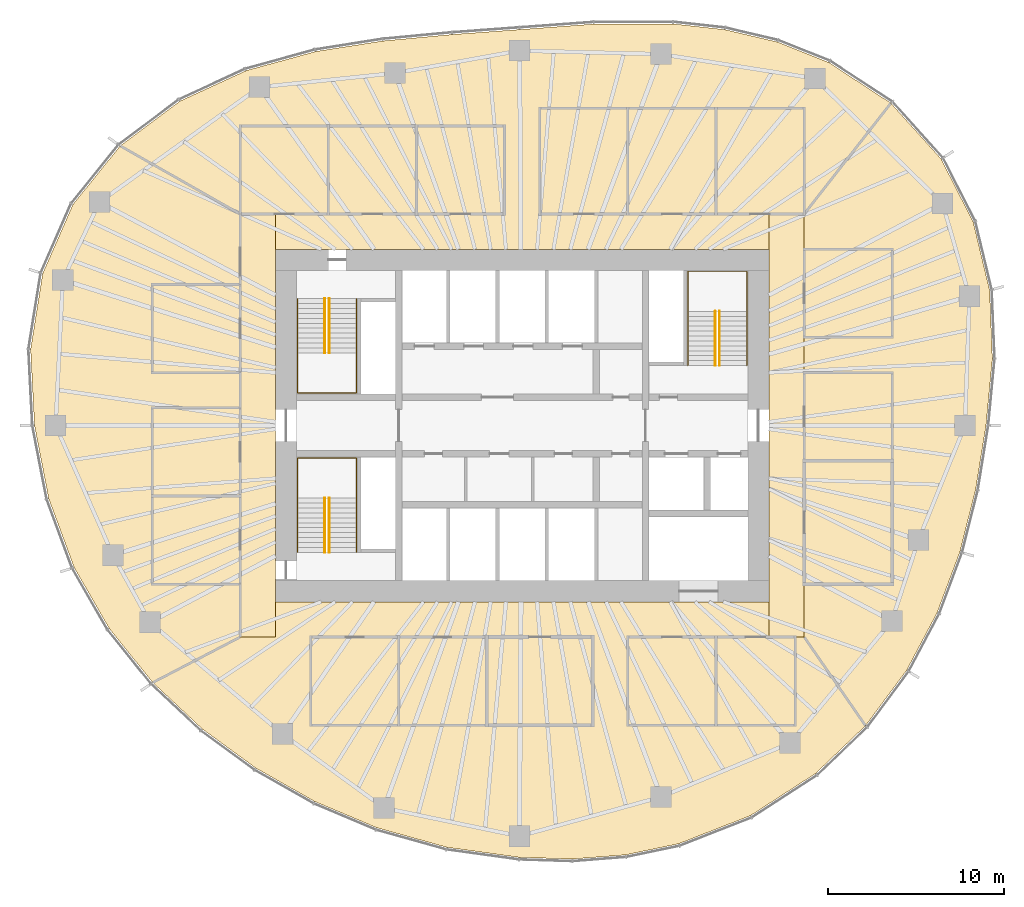
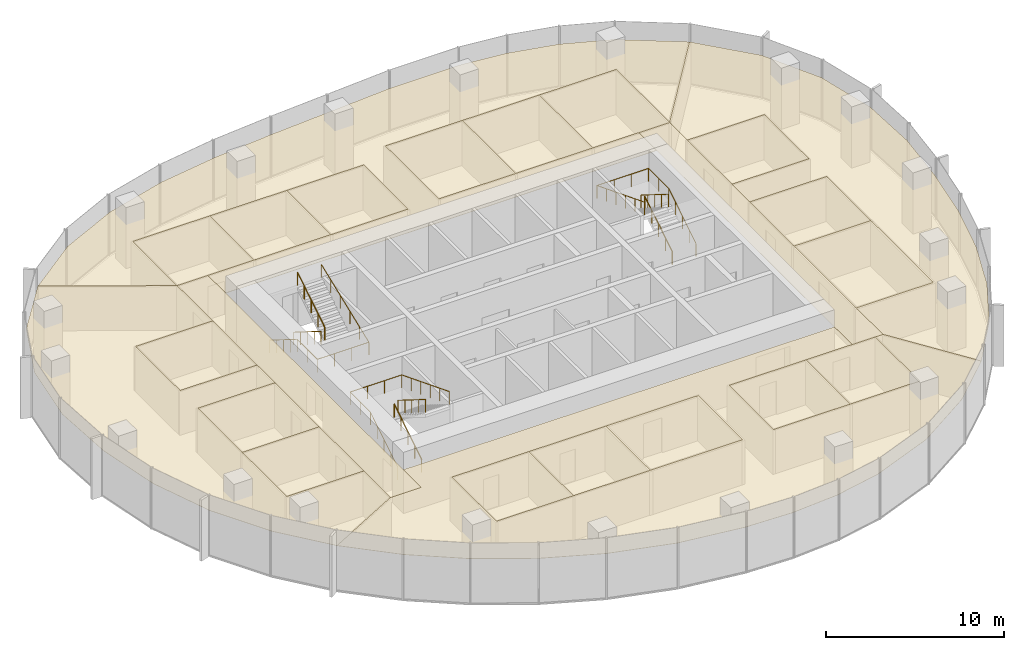
# One storey, part 12 of 12: 23 coverings, 9 railings.
"""IFC4 building model written with IfcOpenShell, lengths in metres."""

from ifc_helpers import new_model, si_unit, direction, frame, origin, origin_2d, place, context, subcontext, project, spatial, polyline, circle, outline, extrude, material, layer, layer_set, type_object, element, save


model = new_model("IFC4")

# Units and contexts
model_context = context("Model", 3, precision=1e-05, world=origin(), true_north=direction((0.0, 1.0)))
body_context = subcontext(model_context, "Body", "Model", "MODEL_VIEW")
ifc_project = project(units=[si_unit("LENGTHUNIT", "METRE"), si_unit("AREAUNIT", "SQUARE_METRE"), si_unit("VOLUMEUNIT", "CUBIC_METRE"), si_unit("PLANEANGLEUNIT", "RADIAN"), si_unit("MASSUNIT", "GRAM", prefix="KILO")], contexts=[model_context])

# Site, building, storey
site_placement = place(None, origin())
site = spatial("IfcSite", under=ifc_project, at=site_placement, CompositionType="ELEMENT")
building_placement = place(site_placement, origin())
building = spatial("IfcBuilding", under=site, at=building_placement, Name="Ghaith Harvest Tower", CompositionType="ELEMENT")
storey_placement = place(building_placement, frame((0.0, 0.0, 253.60009765625)))
storey = spatial("IfcBuildingStorey", under=building, at=storey_placement, Name="L56", CompositionType="ELEMENT", Elevation=253.60009765625)

# Coverings
ifc_material_1 = material(Name="Mineral fibre ceiling tile", Category="gypsum")
ifc_layer = layer(ifc_material_1, 0.02001953125)
ifc_layer_set = layer_set([ifc_layer], Name="CEILING C1")
covering_type = type_object("IfcCoveringType", Name="CEILING C1", PredefinedType="CEILING", material=ifc_layer_set)
covering_1_placement = place(storey_placement, frame((0.0, 0.0, 3.0)))
element("IfcCovering", 1, at=covering_1_placement, inside=storey, type_object=covering_type, Name="Ceiling L56-01", PredefinedType="CEILING", context=body_context, shape_type="SweptSolid", body=[
    extrude(outline(polyline([(-16.0, 12.0), (-11.0, 12.0), (-11.0, 17.0), (-16.0, 17.0), (-16.0, 12.0)])), origin(), (0.0, 0.0, 1.0), 0.02001953125),
])
covering_2_placement = place(storey_placement, frame((0.0, 0.0, 3.0)))
element("IfcCovering", 2, at=covering_2_placement, inside=storey, type_object=covering_type, Name="Ceiling L56-02", PredefinedType="CEILING", context=body_context, shape_type="SweptSolid", body=[
    extrude(outline(polyline([(-11.0, 12.0), (-6.0, 12.0), (-6.0, 17.0), (-11.0, 17.0), (-11.0, 12.0)])), origin(), (0.0, 0.0, 1.0), 0.02001953125),
])
covering_3_placement = place(storey_placement, frame((0.0, 0.0, 3.0)))
element("IfcCovering", 3, at=covering_3_placement, inside=storey, type_object=covering_type, Name="Ceiling L56-03", PredefinedType="CEILING", context=body_context, shape_type="SweptSolid", body=[
    extrude(outline(polyline([(-6.0, 12.0), (-1.0, 12.0), (-1.0, 17.0), (-6.0, 17.0), (-6.0, 12.0)])), origin(), (0.0, 0.0, 1.0), 0.02001953125),
])
covering_4_placement = place(storey_placement, frame((0.0, 0.0, 3.0)))
element("IfcCovering", 4, at=covering_4_placement, inside=storey, type_object=covering_type, Name="Ceiling L56-04", PredefinedType="CEILING", context=body_context, shape_type="SweptSolid", body=[
    extrude(outline(polyline([(1.0, 12.0), (6.0, 12.0), (6.0, 18.0), (1.0, 18.0), (1.0, 12.0)])), origin(), (0.0, 0.0, 1.0), 0.02001953125),
])
covering_5_placement = place(storey_placement, frame((0.0, 0.0, 3.0)))
element("IfcCovering", 5, at=covering_5_placement, inside=storey, type_object=covering_type, Name="Ceiling L56-05", PredefinedType="CEILING", context=body_context, shape_type="SweptSolid", body=[
    extrude(outline(polyline([(6.0, 12.0), (11.0, 12.0), (11.0, 18.0), (6.0, 18.0), (6.0, 12.0)])), origin(), (0.0, 0.0, 1.0), 0.02001953125),
])
covering_6_placement = place(storey_placement, frame((0.0, 0.0, 3.0)))
element("IfcCovering", 6, at=covering_6_placement, inside=storey, type_object=covering_type, Name="Ceiling L56-06", PredefinedType="CEILING", context=body_context, shape_type="SweptSolid", body=[
    extrude(outline(polyline([(11.0, 12.0), (16.0, 12.0), (16.0, 18.0), (11.0, 18.0), (11.0, 12.0)])), origin(), (0.0, 0.0, 1.0), 0.02001953125),
])
covering_7_placement = place(storey_placement, frame((0.0, 0.0, 3.0)))
element("IfcCovering", 7, at=covering_7_placement, inside=storey, type_object=covering_type, Name="Ceiling L56-07", PredefinedType="CEILING", context=body_context, shape_type="SweptSolid", body=[
    extrude(outline(polyline([(16.0, -9.0), (21.0, -9.0), (21.0, -2.0), (16.0, -2.0), (16.0, -9.0)])), origin(), (0.0, 0.0, 1.0), 0.02001953125),
])
covering_8_placement = place(storey_placement, frame((0.0, 0.0, 3.0)))
element("IfcCovering", 8, at=covering_8_placement, inside=storey, type_object=covering_type, Name="Ceiling L56-08", PredefinedType="CEILING", context=body_context, shape_type="SweptSolid", body=[
    extrude(outline(polyline([(16.0, -2.0), (21.0, -2.0), (21.0, 3.0), (16.0, 3.0), (16.0, -2.0)])), origin(), (0.0, 0.0, 1.0), 0.02001953125),
])
covering_9_placement = place(storey_placement, frame((0.0, 0.0, 3.0)))
element("IfcCovering", 9, at=covering_9_placement, inside=storey, type_object=covering_type, Name="Ceiling L56-09", PredefinedType="CEILING", context=body_context, shape_type="SweptSolid", body=[
    extrude(outline(polyline([(-12.0, -17.0), (-7.0, -17.0), (-7.0, -12.0), (-12.0, -12.0), (-12.0, -17.0)])), origin(), (0.0, 0.0, 1.0), 0.02001953125),
])
covering_10_placement = place(storey_placement, frame((0.0, 0.0, 3.0)))
element("IfcCovering", 10, at=covering_10_placement, inside=storey, type_object=covering_type, Name="Ceiling L56-10", PredefinedType="CEILING", context=body_context, shape_type="SweptSolid", body=[
    extrude(outline(polyline([(-7.0, -17.0), (-2.0, -17.0), (-2.0, -12.0), (-7.0, -12.0), (-7.0, -17.0)])), origin(), (0.0, 0.0, 1.0), 0.02001953125),
])
covering_11_placement = place(storey_placement, frame((0.0, 0.0, 3.0)))
element("IfcCovering", 11, at=covering_11_placement, inside=storey, type_object=covering_type, Name="Ceiling L56-11", PredefinedType="CEILING", context=body_context, shape_type="SweptSolid", body=[
    extrude(outline(polyline([(-2.0, -17.0), (4.0, -17.0), (4.0, -12.0), (-2.0, -12.0), (-2.0, -17.0)])), origin(), (0.0, 0.0, 1.0), 0.02001953125),
])
covering_12_placement = place(storey_placement, frame((0.0, 0.0, 3.0)))
element("IfcCovering", 12, at=covering_12_placement, inside=storey, type_object=covering_type, Name="Ceiling L56-12", PredefinedType="CEILING", context=body_context, shape_type="SweptSolid", body=[
    extrude(outline(polyline([(-21.0, -9.0), (-16.0, -9.0), (-16.0, -4.0), (-21.0, -4.0), (-21.0, -9.0)])), origin(), (0.0, 0.0, 1.0), 0.02001953125),
])
covering_13_placement = place(storey_placement, frame((0.0, 0.0, 3.0)))
element("IfcCovering", 13, at=covering_13_placement, inside=storey, type_object=covering_type, Name="Ceiling L56-13", PredefinedType="CEILING", context=body_context, shape_type="SweptSolid", body=[
    extrude(outline(polyline([(-21.0, -4.0), (-16.0, -4.0), (-16.0, 1.0), (-21.0, 1.0), (-21.0, -4.0)])), origin(), (0.0, 0.0, 1.0), 0.02001953125),
])
covering_14_placement = place(storey_placement, frame((0.0, 0.0, 3.0)))
element("IfcCovering", 14, at=covering_14_placement, inside=storey, type_object=covering_type, Name="Ceiling L56-14", PredefinedType="CEILING", context=body_context, shape_type="SweptSolid", body=[
    extrude(outline(polyline([(6.0, -17.0), (11.0, -17.0), (11.0, -12.0), (6.0, -12.0), (6.0, -17.0)])), origin(), (0.0, 0.0, 1.0), 0.02001953125),
])
covering_15_placement = place(storey_placement, frame((0.0, 0.0, 3.0)))
element("IfcCovering", 15, at=covering_15_placement, inside=storey, type_object=covering_type, Name="Ceiling L56-15", PredefinedType="CEILING", context=body_context, shape_type="SweptSolid", body=[
    extrude(outline(polyline([(11.0, -17.0), (15.5, -17.0), (15.5, -12.0), (11.0, -12.0), (11.0, -17.0)])), origin(), (0.0, 0.0, 1.0), 0.02001953125),
])
covering_16_placement = place(storey_placement, frame((0.0, 0.0, 3.0)))
element("IfcCovering", 16, at=covering_16_placement, inside=storey, type_object=covering_type, Name="Ceiling L56-16", PredefinedType="CEILING", context=body_context, shape_type="SweptSolid", body=[
    extrude(outline(polyline([(16.0, 5.0), (21.0, 5.0), (21.0, 10.0), (16.0, 10.0), (16.0, 5.0)])), origin(), (0.0, 0.0, 1.0), 0.02001953125),
])
covering_17_placement = place(storey_placement, frame((0.0, 0.0, 3.0)))
element("IfcCovering", 17, at=covering_17_placement, inside=storey, type_object=covering_type, Name="Ceiling L56-17", PredefinedType="CEILING", context=body_context, shape_type="SweptSolid", body=[
    extrude(outline(polyline([(-21.0, 3.0), (-16.0, 3.0), (-16.0, 8.0), (-21.0, 8.0), (-21.0, 3.0)])), origin(), (0.0, 0.0, 1.0), 0.02001953125),
])
covering_18_placement = place(storey_placement, frame((0.0, 0.0, 3.0)))
element("IfcCovering", 18, at=covering_18_placement, inside=storey, type_object=covering_type, Name="Ceiling L56-C1", PredefinedType="CEILING", context=body_context, shape_type="SweptSolid", body=[
    extrude(outline(polyline([(-14.0, 12.0), (-14.0, -12.0), (-16.0, -12.0), (-16.0, 12.0), (-14.0, 12.0)])), origin(), (0.0, 0.0, 1.0), 0.02001953125),
])
covering_19_placement = place(storey_placement, frame((0.0, 0.0, 3.0)))
element("IfcCovering", 19, at=covering_19_placement, inside=storey, type_object=covering_type, Name="Ceiling L56-C2", PredefinedType="CEILING", context=body_context, shape_type="SweptSolid", body=[
    extrude(outline(polyline([(14.0, -12.0), (14.0, 12.0), (16.0, 12.0), (16.0, -12.0), (14.0, -12.0)])), origin(), (0.0, 0.0, 1.0), 0.02001953125),
])
covering_20_placement = place(storey_placement, frame((0.0, 0.0, 3.0)))
element("IfcCovering", 20, at=covering_20_placement, inside=storey, type_object=covering_type, Name="Ceiling L56-N1", PredefinedType="CEILING", context=body_context, shape_type="SweptSolid", body=[
    extrude(outline(polyline([(-19.408203125, 18.41650390625), (-15.6474609375, 20.147705078125), (-11.694580078125, 21.2314453125), (-7.8837890625, 21.827880859375), (-3.963134765625, 22.192138671875), (-0.15380859375, 22.470458984375), (4.03857421875, 22.78125), (8.522216796875, 22.796875), (11.47265625, 22.47265625), (14.460693359375, 21.771484375), (17.382080078125, 20.612548828125), (20.923095703125, 18.295166015625), (16.0, 12.0), (16.0, 18.0), (1.0, 18.0), (1.0, 12.0), (14.0, 12.0), (14.0, 10.0), (-14.0, 10.0), (-14.0, 12.0), (-1.0, 12.0), (-1.0, 17.0), (-16.0, 17.0), (-16.0, 12.0), (-22.809814453125, 15.87109375), (-19.408203125, 18.41650390625)])), origin(), (0.0, 0.0, 1.0), 0.02001953125),
])
covering_21_placement = place(storey_placement, frame((0.0, 0.0, 3.0)))
element("IfcCovering", 21, at=covering_21_placement, inside=storey, type_object=covering_type, Name="Ceiling L56-E1", PredefinedType="CEILING", context=body_context, shape_type="SweptSolid", body=[
    extrude(outline(polyline([(23.77294921875, 15.12939453125), (25.597900390625, 11.55615234375), (26.531005859375, 7.668212890625), (26.685791015625, 3.779052734375), (26.324951171875, 0.0), (25.734375, -3.644287109375), (24.840576171875, -7.179443359375), (23.548828125, -10.631103515625), (21.821533203125, -13.887451171875), (19.48388671875, -17.036865234375), (16.0, -12.0), (16.0, -9.0), (21.0, -9.0), (21.0, 3.0), (16.0, 3.0), (16.0, 5.0), (21.0, 5.0), (21.0, 10.0), (16.0, 10.0), (16.0, 12.0), (20.923095703125, 18.295166015625), (23.77294921875, 15.12939453125)])), origin(), (0.0, 0.0, 1.0), 0.02001953125),
])
covering_22_placement = place(storey_placement, frame((0.0, 0.0, 3.0)))
element("IfcCovering", 22, at=covering_22_placement, inside=storey, type_object=covering_type, Name="Ceiling L56-S1", PredefinedType="CEILING", context=body_context, shape_type="SweptSolid", body=[
    extrude(outline(polyline([(16.651611328125, -19.746337890625), (12.949462890625, -22.1435546875), (8.8740234375, -23.73779296875), (5.865234375, -24.3662109375), (2.833984375, -24.602294921875), (-0.167724609375, -24.505126953125), (-4.27490234375, -23.9375), (-8.2451171875, -22.82861328125), (-11.75732421875, -21.345703125), (-15.10400390625, -19.447998046875), (-18.15087890625, -17.223388671875), (-20.963134765625, -14.586181640625), (-16.0, -12.0), (-14.0, -12.0), (-14.0, -10.0), (14.0, -10.0), (14.0, -12.0), (6.0, -12.0), (6.0, -17.0), (15.5, -17.0), (15.5, -12.0), (16.0, -12.0), (19.48388671875, -17.036865234375), (16.651611328125, -19.746337890625)]), holes=[polyline([(-12.0, -17.0), (4.0, -17.0), (4.0, -12.0), (-12.0, -12.0), (-12.0, -17.0)])]), origin(), (0.0, 0.0, 1.0), 0.02001953125),
])
covering_23_placement = place(storey_placement, frame((0.0, 0.0, 3.0)))
element("IfcCovering", 23, at=covering_23_placement, inside=storey, type_object=covering_type, Name="Ceiling L56-W1", PredefinedType="CEILING", context=body_context, shape_type="SweptSolid", body=[
    extrude(outline(polyline([(-26.86669921875, -4.155517578125), (-27.675048828125, 0.0), (-27.897216796875, 4.314697265625), (-27.211181640625, 8.623779296875), (-25.491943359375, 12.547607421875), (-22.809814453125, 15.87109375), (-16.0, 12.0), (-16.0, 8.0), (-21.0, 8.0), (-21.0, 3.0), (-16.0, 3.0), (-16.0, 1.0), (-21.0, 1.0), (-21.0, -9.0), (-16.0, -9.0), (-16.0, -12.0), (-20.963134765625, -14.586181640625), (-23.425537109375, -11.530517578125), (-25.424072265625, -8.057373046875), (-26.86669921875, -4.155517578125)])), origin(), (0.0, 0.0, 1.0), 0.02001953125),
])

# Railings
ifc_material_2 = material(Name="Steel, black powder-coated", Category="steel")
railing_type = type_object("IfcRailingType", Name="HANDRAIL HR1", PredefinedType="HANDRAIL", material=ifc_material_2)
railing_1_placement = place(storey_placement, frame((-11.199951171875, 7.199951171875, 0.1748046875)))
element("IfcRailing", 24, at=railing_1_placement, inside=storey, type_object=railing_type, Name="Handrail HR1 stair ST1 L56 flight 1 inner", PredefinedType="HANDRAIL", context=body_context, shape_type="SweptSolid", body=[
    extrude(circle(Radius=0.02392578125, at=origin_2d()), frame((0.0, 0.0, 0.8759765625), z_axis=(0.0, -0.847979421464, 0.530029150871), x_axis=(1.0, 0.0, 0.0)), (0.0, 0.0, 1.0), 3.632080078125),
    extrude(circle(Radius=0.02099609375, at=origin_2d()), origin(), (0.0, 0.0, 1.0), 0.851806640625),
    extrude(circle(Radius=0.02099609375, at=origin_2d()), frame((0.0, -0.77001953125, 0.481201171875)), (0.0, 0.0, 1.0), 0.851806640625),
    extrude(circle(Radius=0.02099609375, at=origin_2d()), frame((0.0, -1.5400390625, 0.96240234375)), (0.0, 0.0, 1.0), 0.851806640625),
    extrude(circle(Radius=0.02099609375, at=origin_2d()), frame((0.0, -2.309814453125, 1.44384765625)), (0.0, 0.0, 1.0), 0.851806640625),
    extrude(circle(Radius=0.02099609375, at=origin_2d()), frame((0.0, -3.079833984375, 1.925048828125)), (0.0, 0.0, 1.0), 0.851806640625),
])
railing_2_placement = place(storey_placement, frame((-10.949951171875, 4.1201171875, 2.27490234375)))
element("IfcRailing", 25, at=railing_2_placement, inside=storey, type_object=railing_type, Name="Handrail HR1 stair ST1 L56 flight 2 inner", PredefinedType="HANDRAIL", context=body_context, shape_type="SweptSolid", body=[
    extrude(circle(Radius=0.02392578125, at=origin_2d()), frame((0.0, 0.0, 0.8759765625), z_axis=(0.0, 0.847979421464, 0.530029150871), x_axis=(-1.0, 0.0, 0.0)), (0.0, 0.0, 1.0), 3.632080078125),
    extrude(circle(Radius=0.02099609375, at=origin_2d()), origin(), (0.0, 0.0, 1.0), 0.851806640625),
    extrude(circle(Radius=0.02099609375, at=origin_2d()), frame((0.0, 0.77001953125, 0.481201171875)), (0.0, 0.0, 1.0), 0.851806640625),
    extrude(circle(Radius=0.02099609375, at=origin_2d()), frame((0.0, 1.5400390625, 0.96240234375)), (0.0, 0.0, 1.0), 0.851806640625),
    extrude(circle(Radius=0.02099609375, at=origin_2d()), frame((0.0, 2.309814453125, 1.44384765625)), (0.0, 0.0, 1.0), 0.851806640625),
    extrude(circle(Radius=0.02099609375, at=origin_2d()), frame((0.0, 3.079833984375, 1.925048828125)), (0.0, 0.0, 1.0), 0.851806640625),
])
railing_3_placement = place(storey_placement, frame((-12.75, 7.199951171875, 0.1748046875)))
element("IfcRailing", 26, at=railing_3_placement, inside=storey, type_object=railing_type, Name="Handrail HR1 stair ST1 L56 wall side", PredefinedType="HANDRAIL", context=body_context, shape_type="SweptSolid", body=[
    extrude(circle(Radius=0.02392578125, at=origin_2d()), frame((0.0, 0.0, 0.8759765625), z_axis=(0.0, -0.847979421464, 0.530029150871), x_axis=(1.0, 0.0, 0.0)), (0.0, 0.0, 1.0), 3.632080078125),
    extrude(circle(Radius=0.02392578125, at=origin_2d()), frame((0.0, -3.079833984375, 2.80078125), z_axis=(0.0, -1.0, 0.0), x_axis=(1.0, 0.0, 0.0)), (0.0, 0.0, 1.0), 2.27001953125),
    extrude(circle(Radius=0.02392578125, at=origin_2d()), frame((0.0, -5.349853515625, 2.80078125), z_axis=(1.0, 0.0, 0.0), x_axis=(0.0, 1.0, 0.0)), (0.0, 0.0, 1.0), 3.35009765625),
    extrude(circle(Radius=0.02392578125, at=origin_2d()), frame((3.35009765625, -5.349853515625, 2.80078125), z_axis=(0.0, 0.930848013298, 0.36540659017), x_axis=(-1.0, 0.0, 0.0)), (0.0, 0.0, 1.0), 5.747314453125),
    extrude(circle(Radius=0.02099609375, at=origin_2d()), origin(), (0.0, 0.0, 1.0), 0.851806640625),
    extrude(circle(Radius=0.02099609375, at=origin_2d()), frame((0.0, -0.77001953125, 0.481201171875)), (0.0, 0.0, 1.0), 0.851806640625),
    extrude(circle(Radius=0.02099609375, at=origin_2d()), frame((0.0, -1.5400390625, 0.96240234375)), (0.0, 0.0, 1.0), 0.851806640625),
    extrude(circle(Radius=0.02099609375, at=origin_2d()), frame((0.0, -2.309814453125, 1.44384765625)), (0.0, 0.0, 1.0), 0.851806640625),
    extrude(circle(Radius=0.02099609375, at=origin_2d()), frame((0.0, -3.079833984375, 1.925048828125)), (0.0, 0.0, 1.0), 0.851806640625),
    extrude(circle(Radius=0.02099609375, at=origin_2d()), frame((0.0, -4.21484375, 1.925048828125)), (0.0, 0.0, 1.0), 0.851806640625),
    extrude(circle(Radius=0.02099609375, at=origin_2d()), frame((0.0, -5.349853515625, 1.925048828125)), (0.0, 0.0, 1.0), 0.851806640625),
    extrude(circle(Radius=0.02099609375, at=origin_2d()), frame((1.11669921875, -5.349853515625, 1.925048828125)), (0.0, 0.0, 1.0), 0.851806640625),
    extrude(circle(Radius=0.02099609375, at=origin_2d()), frame((2.2333984375, -5.349853515625, 1.925048828125)), (0.0, 0.0, 1.0), 0.851806640625),
    extrude(circle(Radius=0.02099609375, at=origin_2d()), frame((3.35009765625, -5.349853515625, 1.925048828125)), (0.0, 0.0, 1.0), 0.851806640625),
    extrude(circle(Radius=0.02099609375, at=origin_2d()), frame((3.35009765625, -4.27978515625, 2.344970703125)), (0.0, 0.0, 1.0), 0.851806640625),
    extrude(circle(Radius=0.02099609375, at=origin_2d()), frame((3.35009765625, -3.2099609375, 2.76513671875)), (0.0, 0.0, 1.0), 0.851806640625),
    extrude(circle(Radius=0.02099609375, at=origin_2d()), frame((3.35009765625, -2.139892578125, 3.18505859375)), (0.0, 0.0, 1.0), 0.851806640625),
    extrude(circle(Radius=0.02099609375, at=origin_2d()), frame((3.35009765625, -1.070068359375, 3.605224609375)), (0.0, 0.0, 1.0), 0.851806640625),
    extrude(circle(Radius=0.02099609375, at=origin_2d()), frame((3.35009765625, 0.0, 4.025146484375)), (0.0, 0.0, 1.0), 0.851806640625),
])
railing_4_placement = place(storey_placement, frame((-11.199951171875, -7.199951171875, 0.1748046875)))
element("IfcRailing", 27, at=railing_4_placement, inside=storey, type_object=railing_type, Name="Handrail HR1 stair ST3 L56 flight 1 inner", PredefinedType="HANDRAIL", context=body_context, shape_type="SweptSolid", body=[
    extrude(circle(Radius=0.02392578125, at=origin_2d()), frame((0.0, 0.0, 0.8759765625), z_axis=(0.0, 0.847979421464, 0.530029150871), x_axis=(-1.0, 0.0, 0.0)), (0.0, 0.0, 1.0), 3.632080078125),
    extrude(circle(Radius=0.02099609375, at=origin_2d()), origin(), (0.0, 0.0, 1.0), 0.851806640625),
    extrude(circle(Radius=0.02099609375, at=origin_2d()), frame((0.0, 0.77001953125, 0.481201171875)), (0.0, 0.0, 1.0), 0.851806640625),
    extrude(circle(Radius=0.02099609375, at=origin_2d()), frame((0.0, 1.5400390625, 0.96240234375)), (0.0, 0.0, 1.0), 0.851806640625),
    extrude(circle(Radius=0.02099609375, at=origin_2d()), frame((0.0, 2.309814453125, 1.44384765625)), (0.0, 0.0, 1.0), 0.851806640625),
    extrude(circle(Radius=0.02099609375, at=origin_2d()), frame((0.0, 3.079833984375, 1.925048828125)), (0.0, 0.0, 1.0), 0.851806640625),
])
railing_5_placement = place(storey_placement, frame((-10.949951171875, -4.1201171875, 2.27490234375)))
element("IfcRailing", 28, at=railing_5_placement, inside=storey, type_object=railing_type, Name="Handrail HR1 stair ST3 L56 flight 2 inner", PredefinedType="HANDRAIL", context=body_context, shape_type="SweptSolid", body=[
    extrude(circle(Radius=0.02392578125, at=origin_2d()), frame((0.0, 0.0, 0.8759765625), z_axis=(0.0, -0.847979421464, 0.530029150871), x_axis=(1.0, 0.0, 0.0)), (0.0, 0.0, 1.0), 3.632080078125),
    extrude(circle(Radius=0.02099609375, at=origin_2d()), origin(), (0.0, 0.0, 1.0), 0.851806640625),
    extrude(circle(Radius=0.02099609375, at=origin_2d()), frame((0.0, -0.77001953125, 0.481201171875)), (0.0, 0.0, 1.0), 0.851806640625),
    extrude(circle(Radius=0.02099609375, at=origin_2d()), frame((0.0, -1.5400390625, 0.96240234375)), (0.0, 0.0, 1.0), 0.851806640625),
    extrude(circle(Radius=0.02099609375, at=origin_2d()), frame((0.0, -2.309814453125, 1.44384765625)), (0.0, 0.0, 1.0), 0.851806640625),
    extrude(circle(Radius=0.02099609375, at=origin_2d()), frame((0.0, -3.079833984375, 1.925048828125)), (0.0, 0.0, 1.0), 0.851806640625),
])
railing_6_placement = place(storey_placement, frame((-12.75, -7.199951171875, 0.1748046875)))
element("IfcRailing", 29, at=railing_6_placement, inside=storey, type_object=railing_type, Name="Handrail HR1 stair ST3 L56 wall side", PredefinedType="HANDRAIL", context=body_context, shape_type="SweptSolid", body=[
    extrude(circle(Radius=0.02392578125, at=origin_2d()), frame((0.0, 0.0, 0.8759765625), z_axis=(0.0, 0.847979421464, 0.530029150871), x_axis=(-1.0, 0.0, 0.0)), (0.0, 0.0, 1.0), 3.632080078125),
    extrude(circle(Radius=0.02392578125, at=origin_2d()), frame((0.0, 3.079833984375, 2.80078125), z_axis=(0.0, 1.0, 0.0), x_axis=(-1.0, 0.0, 0.0)), (0.0, 0.0, 1.0), 2.27001953125),
    extrude(circle(Radius=0.02392578125, at=origin_2d()), frame((0.0, 5.349853515625, 2.80078125), z_axis=(1.0, 0.0, 0.0), x_axis=(0.0, 1.0, 0.0)), (0.0, 0.0, 1.0), 3.35009765625),
    extrude(circle(Radius=0.02392578125, at=origin_2d()), frame((3.35009765625, 5.349853515625, 2.80078125), z_axis=(0.0, -0.930848013298, 0.36540659017), x_axis=(1.0, 0.0, 0.0)), (0.0, 0.0, 1.0), 5.747314453125),
    extrude(circle(Radius=0.02099609375, at=origin_2d()), origin(), (0.0, 0.0, 1.0), 0.851806640625),
    extrude(circle(Radius=0.02099609375, at=origin_2d()), frame((0.0, 0.77001953125, 0.481201171875)), (0.0, 0.0, 1.0), 0.851806640625),
    extrude(circle(Radius=0.02099609375, at=origin_2d()), frame((0.0, 1.5400390625, 0.96240234375)), (0.0, 0.0, 1.0), 0.851806640625),
    extrude(circle(Radius=0.02099609375, at=origin_2d()), frame((0.0, 2.309814453125, 1.44384765625)), (0.0, 0.0, 1.0), 0.851806640625),
    extrude(circle(Radius=0.02099609375, at=origin_2d()), frame((0.0, 3.079833984375, 1.925048828125)), (0.0, 0.0, 1.0), 0.851806640625),
    extrude(circle(Radius=0.02099609375, at=origin_2d()), frame((0.0, 4.21484375, 1.925048828125)), (0.0, 0.0, 1.0), 0.851806640625),
    extrude(circle(Radius=0.02099609375, at=origin_2d()), frame((0.0, 5.349853515625, 1.925048828125)), (0.0, 0.0, 1.0), 0.851806640625),
    extrude(circle(Radius=0.02099609375, at=origin_2d()), frame((1.11669921875, 5.349853515625, 1.925048828125)), (0.0, 0.0, 1.0), 0.851806640625),
    extrude(circle(Radius=0.02099609375, at=origin_2d()), frame((2.2333984375, 5.349853515625, 1.925048828125)), (0.0, 0.0, 1.0), 0.851806640625),
    extrude(circle(Radius=0.02099609375, at=origin_2d()), frame((3.35009765625, 5.349853515625, 1.925048828125)), (0.0, 0.0, 1.0), 0.851806640625),
    extrude(circle(Radius=0.02099609375, at=origin_2d()), frame((3.35009765625, 4.27978515625, 2.344970703125)), (0.0, 0.0, 1.0), 0.851806640625),
    extrude(circle(Radius=0.02099609375, at=origin_2d()), frame((3.35009765625, 3.2099609375, 2.76513671875)), (0.0, 0.0, 1.0), 0.851806640625),
    extrude(circle(Radius=0.02099609375, at=origin_2d()), frame((3.35009765625, 2.139892578125, 3.18505859375)), (0.0, 0.0, 1.0), 0.851806640625),
    extrude(circle(Radius=0.02099609375, at=origin_2d()), frame((3.35009765625, 1.070068359375, 3.605224609375)), (0.0, 0.0, 1.0), 0.851806640625),
    extrude(circle(Radius=0.02099609375, at=origin_2d()), frame((3.35009765625, 0.0, 4.025146484375)), (0.0, 0.0, 1.0), 0.851806640625),
])
railing_7_placement = place(storey_placement, frame((11.199951171875, 3.39990234375, 0.1748046875)))
element("IfcRailing", 30, at=railing_7_placement, inside=storey, type_object=railing_type, Name="Handrail HR1 stair ST2 L56 flight 1 inner", PredefinedType="HANDRAIL", context=body_context, shape_type="SweptSolid", body=[
    extrude(circle(Radius=0.02392578125, at=origin_2d()), frame((0.0, 0.0, 0.8759765625), z_axis=(0.0, 0.847998304005, 0.529998940003), x_axis=(-1.0, 0.0, 0.0)), (0.0, 0.0, 1.0), 3.632080078125),
    extrude(circle(Radius=0.02099609375, at=origin_2d()), origin(), (0.0, 0.0, 1.0), 0.851806640625),
    extrude(circle(Radius=0.02099609375, at=origin_2d()), frame((0.0, 0.77001953125, 0.481201171875)), (0.0, 0.0, 1.0), 0.851806640625),
    extrude(circle(Radius=0.02099609375, at=origin_2d()), frame((0.0, 1.5400390625, 0.96240234375)), (0.0, 0.0, 1.0), 0.851806640625),
    extrude(circle(Radius=0.02099609375, at=origin_2d()), frame((0.0, 2.31005859375, 1.44384765625)), (0.0, 0.0, 1.0), 0.851806640625),
    extrude(circle(Radius=0.02099609375, at=origin_2d()), frame((0.0, 3.080078125, 1.925048828125)), (0.0, 0.0, 1.0), 0.851806640625),
])
railing_8_placement = place(storey_placement, frame((10.949951171875, 6.47998046875, 2.27490234375)))
element("IfcRailing", 31, at=railing_8_placement, inside=storey, type_object=railing_type, Name="Handrail HR1 stair ST2 L56 flight 2 inner", PredefinedType="HANDRAIL", context=body_context, shape_type="SweptSolid", body=[
    extrude(circle(Radius=0.02392578125, at=origin_2d()), frame((0.0, 0.0, 0.8759765625), z_axis=(0.0, -0.847998304005, 0.529998940003), x_axis=(1.0, 0.0, 0.0)), (0.0, 0.0, 1.0), 3.632080078125),
    extrude(circle(Radius=0.02099609375, at=origin_2d()), origin(), (0.0, 0.0, 1.0), 0.851806640625),
    extrude(circle(Radius=0.02099609375, at=origin_2d()), frame((0.0, -0.77001953125, 0.481201171875)), (0.0, 0.0, 1.0), 0.851806640625),
    extrude(circle(Radius=0.02099609375, at=origin_2d()), frame((0.0, -1.5400390625, 0.96240234375)), (0.0, 0.0, 1.0), 0.851806640625),
    extrude(circle(Radius=0.02099609375, at=origin_2d()), frame((0.0, -2.31005859375, 1.44384765625)), (0.0, 0.0, 1.0), 0.851806640625),
    extrude(circle(Radius=0.02099609375, at=origin_2d()), frame((0.0, -3.080078125, 1.925048828125)), (0.0, 0.0, 1.0), 0.851806640625),
])
railing_9_placement = place(storey_placement, frame((12.75, 3.39990234375, 0.1748046875)))
element("IfcRailing", 32, at=railing_9_placement, inside=storey, type_object=railing_type, Name="Handrail HR1 stair ST2 L56 wall side", PredefinedType="HANDRAIL", context=body_context, shape_type="SweptSolid", body=[
    extrude(circle(Radius=0.02392578125, at=origin_2d()), frame((0.0, 0.0, 0.8759765625), z_axis=(0.0, 0.847998304005, 0.529998940003), x_axis=(-1.0, 0.0, 0.0)), (0.0, 0.0, 1.0), 3.632080078125),
    extrude(circle(Radius=0.02392578125, at=origin_2d()), frame((0.0, 3.080078125, 2.80078125), z_axis=(0.0, 1.0, 0.0), x_axis=(-1.0, 0.0, 0.0)), (0.0, 0.0, 1.0), 2.27001953125),
    extrude(circle(Radius=0.02392578125, at=origin_2d()), frame((0.0, 5.35009765625, 2.80078125), z_axis=(-1.0, 0.0, 0.0), x_axis=(0.0, -1.0, 0.0)), (0.0, 0.0, 1.0), 3.35009765625),
    extrude(circle(Radius=0.02392578125, at=origin_2d()), frame((-3.35009765625, 5.35009765625, 2.80078125), z_axis=(0.0, -0.930853684876, 0.365392141887), x_axis=(1.0, 0.0, 0.0)), (0.0, 0.0, 1.0), 5.74755859375),
    extrude(circle(Radius=0.02099609375, at=origin_2d()), origin(), (0.0, 0.0, 1.0), 0.851806640625),
    extrude(circle(Radius=0.02099609375, at=origin_2d()), frame((0.0, 0.77001953125, 0.481201171875)), (0.0, 0.0, 1.0), 0.851806640625),
    extrude(circle(Radius=0.02099609375, at=origin_2d()), frame((0.0, 1.5400390625, 0.96240234375)), (0.0, 0.0, 1.0), 0.851806640625),
    extrude(circle(Radius=0.02099609375, at=origin_2d()), frame((0.0, 2.31005859375, 1.44384765625)), (0.0, 0.0, 1.0), 0.851806640625),
    extrude(circle(Radius=0.02099609375, at=origin_2d()), frame((0.0, 3.080078125, 1.925048828125)), (0.0, 0.0, 1.0), 0.851806640625),
    extrude(circle(Radius=0.02099609375, at=origin_2d()), frame((0.0, 4.215087890625, 1.925048828125)), (0.0, 0.0, 1.0), 0.851806640625),
    extrude(circle(Radius=0.02099609375, at=origin_2d()), frame((0.0, 5.35009765625, 1.925048828125)), (0.0, 0.0, 1.0), 0.851806640625),
    extrude(circle(Radius=0.02099609375, at=origin_2d()), frame((-1.11669921875, 5.35009765625, 1.925048828125)), (0.0, 0.0, 1.0), 0.851806640625),
    extrude(circle(Radius=0.02099609375, at=origin_2d()), frame((-2.2333984375, 5.35009765625, 1.925048828125)), (0.0, 0.0, 1.0), 0.851806640625),
    extrude(circle(Radius=0.02099609375, at=origin_2d()), frame((-3.35009765625, 5.35009765625, 1.925048828125)), (0.0, 0.0, 1.0), 0.851806640625),
    extrude(circle(Radius=0.02099609375, at=origin_2d()), frame((-3.35009765625, 4.280029296875, 2.344970703125)), (0.0, 0.0, 1.0), 0.851806640625),
    extrude(circle(Radius=0.02099609375, at=origin_2d()), frame((-3.35009765625, 3.2099609375, 2.76513671875)), (0.0, 0.0, 1.0), 0.851806640625),
    extrude(circle(Radius=0.02099609375, at=origin_2d()), frame((-3.35009765625, 2.14013671875, 3.18505859375)), (0.0, 0.0, 1.0), 0.851806640625),
    extrude(circle(Radius=0.02099609375, at=origin_2d()), frame((-3.35009765625, 1.070068359375, 3.605224609375)), (0.0, 0.0, 1.0), 0.851806640625),
    extrude(circle(Radius=0.02099609375, at=origin_2d()), frame((-3.35009765625, 0.0, 4.025146484375)), (0.0, 0.0, 1.0), 0.851806640625),
])

save(model, "model.ifc")
